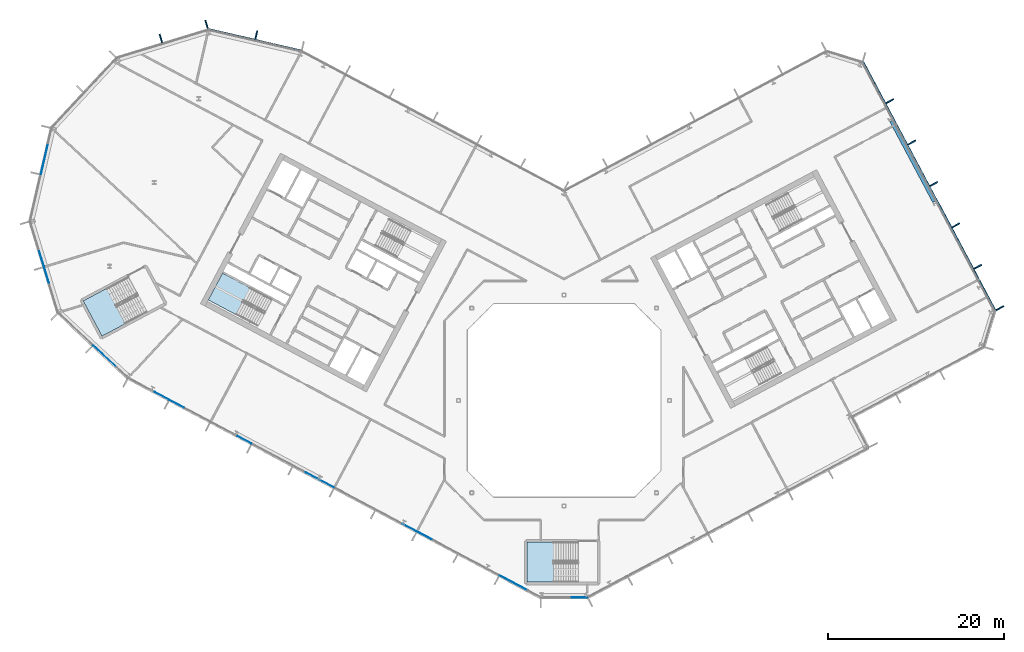
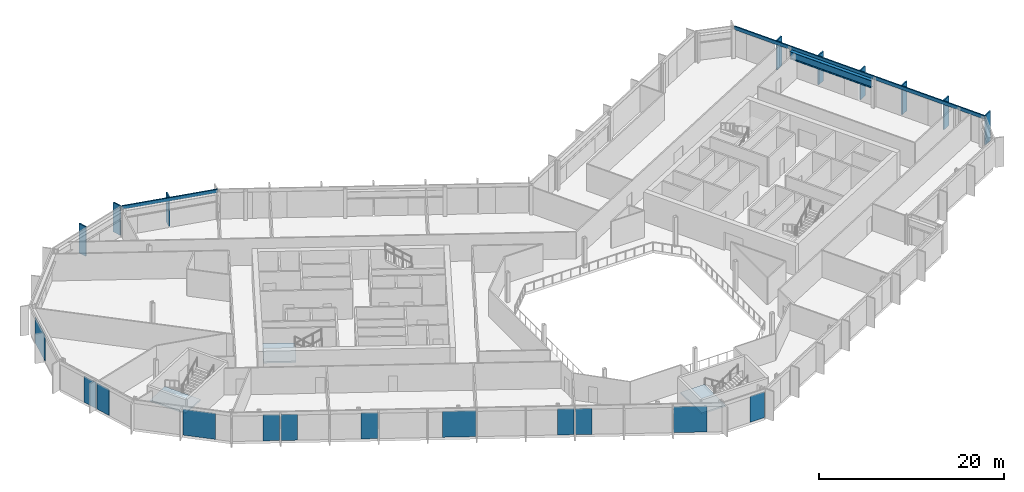
# One storey, part 10 of 27: 12 plates, 11 members, 3 slabs, 1 beam, 11 elements without a shape of their own.
"""IFC4 building model written with IfcOpenShell, lengths in metres."""

from ifc_helpers import new_model, si_unit, direction, frame, origin, origin_2d, place, context, subcontext, project, spatial, polyline, rectangle, i_section, outline, extrude, material, layer, layer_set, material_profile, profile_set, type_object, element, aggregate, save


model = new_model("IFC4")

# Units and contexts
model_context = context("Model", 3, precision=1e-05, world=origin(), true_north=direction((0.0, 1.0)))
body_context = subcontext(model_context, "Body", "Model", "MODEL_VIEW")
ifc_project = project(units=[si_unit("LENGTHUNIT", "METRE"), si_unit("AREAUNIT", "SQUARE_METRE"), si_unit("VOLUMEUNIT", "CUBIC_METRE"), si_unit("PLANEANGLEUNIT", "RADIAN"), si_unit("MASSUNIT", "GRAM", prefix="KILO")], contexts=[model_context])

# Site, building, storey
site_placement = place(None, origin())
site = spatial("IfcSite", under=ifc_project, at=site_placement, CompositionType="ELEMENT")
building_placement = place(site_placement, origin())
building = spatial("IfcBuilding", under=site, at=building_placement, Name="Cormorant Relay Tower", CompositionType="ELEMENT")
storey_placement = place(building_placement, frame((0.0, 0.0, 224.699951171875)))
storey = spatial("IfcBuildingStorey", under=building, at=storey_placement, Name="L49", CompositionType="ELEMENT", Elevation=224.699951171875)

# Curtain wall, members
ifc_material_1 = material(Name="Aluminium 6063-T6 anodised bronze", Category="aluminium")
ifc_layer_1 = layer(ifc_material_1, 0.199951171875)
ifc_layer_set_1 = layer_set([ifc_layer_1], Name="CW1 unitised bronze curtain wall with vertical fins")
curtain_wall_type = type_object("IfcCurtainWallType", Name="CW1 unitised bronze curtain wall with vertical fins", PredefinedType="NOTDEFINED", material=ifc_layer_set_1)
curtain_wall_1_placement = place(storey_placement, origin())
curtain_wall_1 = element("IfcCurtainWall", 1, at=curtain_wall_1_placement, inside=storey, type_object=curtain_wall_type, Name="CW1 curtain wall 6", PredefinedType="NOTDEFINED")
ifc_material_2 = material(Name="Aluminium 6063-T6 anodised bronze", Category="aluminium")
ifc_material_profile_1 = material_profile(ifc_material_2, rectangle(XDim=0.14990234375, YDim=1.0, at=origin_2d()), Name="AL 150x1000")
ifc_profile_set_1 = profile_set([ifc_material_profile_1], Name="Aluminium 6063-T6 anodised bronze")
member_type_1 = type_object("IfcMemberType", Name="CW1 bronze fin mullion 150 x 1000", PredefinedType="MULLION", material=ifc_profile_set_1)
member_1_placement = place(storey_placement, frame((49.572021484375, 10.501953125, 0.0), z_axis=(0.0, 0.0, 1.0), x_axis=(-0.469471562786, 0.882947592859, 0.0)))
member_1 = element("IfcMember", 2, at=member_1_placement, type_object=member_type_1, Name="CW1 fin 6.1", PredefinedType="MULLION", context=body_context, shape_type="SweptSolid", body=[
    extrude(rectangle(XDim=0.14990234375, YDim=1.0, at=origin_2d()), origin(), (0.0, 0.0, 1.0), 3.900146484375),
])
member_2_placement = place(storey_placement, frame((47.068359375, 15.211181640625, 0.0), z_axis=(0.0, 0.0, 1.0), x_axis=(-0.469471562786, 0.882947592859, 0.0)))
member_2 = element("IfcMember", 3, at=member_2_placement, type_object=member_type_1, Name="CW1 fin 6.2", PredefinedType="MULLION", context=body_context, shape_type="SweptSolid", body=[
    extrude(rectangle(XDim=0.14990234375, YDim=1.0, at=origin_2d()), origin(), (0.0, 0.0, 1.0), 3.900146484375),
])
member_3_placement = place(storey_placement, frame((44.564453125, 19.920166015625, 0.0), z_axis=(0.0, 0.0, 1.0), x_axis=(-0.469471562786, 0.882947592859, 0.0)))
member_3 = element("IfcMember", 4, at=member_3_placement, type_object=member_type_1, Name="CW1 fin 6.3", PredefinedType="MULLION", context=body_context, shape_type="SweptSolid", body=[
    extrude(rectangle(XDim=0.14990234375, YDim=1.0, at=origin_2d()), origin(), (0.0, 0.0, 1.0), 3.900146484375),
])
member_4_placement = place(storey_placement, frame((42.060546875, 24.629150390625, 0.0), z_axis=(0.0, 0.0, 1.0), x_axis=(-0.469471562786, 0.882947592859, 0.0)))
member_4 = element("IfcMember", 5, at=member_4_placement, type_object=member_type_1, Name="CW1 fin 6.4", PredefinedType="MULLION", context=body_context, shape_type="SweptSolid", body=[
    extrude(rectangle(XDim=0.14990234375, YDim=1.0, at=origin_2d()), origin(), (0.0, 0.0, 1.0), 3.900146484375),
])
member_5_placement = place(storey_placement, frame((39.556884765625, 29.338134765625, 0.0), z_axis=(0.0, 0.0, 1.0), x_axis=(-0.469471562786, 0.882947592859, 0.0)))
member_5 = element("IfcMember", 6, at=member_5_placement, type_object=member_type_1, Name="CW1 fin 6.5", PredefinedType="MULLION", context=body_context, shape_type="SweptSolid", body=[
    extrude(rectangle(XDim=0.14990234375, YDim=1.0, at=origin_2d()), origin(), (0.0, 0.0, 1.0), 3.900146484375),
])
member_6_placement = place(storey_placement, frame((37.052978515625, 34.04736328125, 0.0), z_axis=(0.0, 0.0, 1.0), x_axis=(-0.469471562786, 0.882947592859, 0.0)))
member_6 = element("IfcMember", 7, at=member_6_placement, type_object=member_type_1, Name="CW1 fin 6.6", PredefinedType="MULLION", context=body_context, shape_type="SweptSolid", body=[
    extrude(rectangle(XDim=0.14990234375, YDim=1.0, at=origin_2d()), origin(), (0.0, 0.0, 1.0), 3.900146484375),
])

# Curtain wall, member
curtain_wall_2_placement = place(storey_placement, origin())
curtain_wall_2 = element("IfcCurtainWall", 8, at=curtain_wall_2_placement, inside=storey, type_object=curtain_wall_type, Name="CW1 curtain wall 10", PredefinedType="NOTDEFINED")
member_7_placement = place(storey_placement, frame((-35.01220703125, 41.57275390625, 0.0), z_axis=(0.0, 0.0, 1.0), x_axis=(-0.974370064785, 0.224951054344, 0.0)))
member_7 = element("IfcMember", 9, at=member_7_placement, type_object=member_type_1, Name="CW1 fin 10.2", PredefinedType="MULLION", context=body_context, shape_type="SweptSolid", body=[
    extrude(rectangle(XDim=0.14990234375, YDim=1.0, at=origin_2d()), origin(), (0.0, 0.0, 1.0), 3.900146484375),
])

# Curtain wall, members
curtain_wall_3_placement = place(storey_placement, origin())
curtain_wall_3 = element("IfcCurtainWall", 10, at=curtain_wall_3_placement, inside=storey, type_object=curtain_wall_type, Name="CW1 curtain wall 11", PredefinedType="NOTDEFINED")
member_8_placement = place(storey_placement, frame((-40.670166015625, 42.78271484375, 0.0), z_axis=(0.0, 0.0, 1.0), x_axis=(-0.956304755963, -0.292371704723, 0.0)))
member_8 = element("IfcMember", 11, at=member_8_placement, type_object=member_type_1, Name="CW1 fin 11.1", PredefinedType="MULLION", context=body_context, shape_type="SweptSolid", body=[
    extrude(rectangle(XDim=0.14990234375, YDim=1.0, at=origin_2d()), origin(), (0.0, 0.0, 1.0), 3.900146484375),
])
member_9_placement = place(storey_placement, frame((-45.867919921875, 41.193603515625, 0.0), z_axis=(0.0, 0.0, 1.0), x_axis=(-0.956304755963, -0.292371704723, 0.0)))
member_9 = element("IfcMember", 12, at=member_9_placement, type_object=member_type_1, Name="CW1 fin 11.2", PredefinedType="MULLION", context=body_context, shape_type="SweptSolid", body=[
    extrude(rectangle(XDim=0.14990234375, YDim=1.0, at=origin_2d()), origin(), (0.0, 0.0, 1.0), 3.900146484375),
])
aggregate(curtain_wall_3, [member_8, member_9])

# Member
ifc_material_3 = material(Name="Aluminium 6063-T6 anodised bronze", Category="aluminium")
ifc_material_profile_2 = material_profile(ifc_material_3, rectangle(XDim=0.159912109375, YDim=0.449951171875, at=origin_2d()), Name="AL 160x450")
ifc_profile_set_2 = profile_set([ifc_material_profile_2], Name="Aluminium 6063-T6 anodised bronze")
member_type_2 = type_object("IfcMemberType", Name="CW1 bronze transom 160 x 450", PredefinedType="USERDEFINED", material=ifc_profile_set_2)
member_10_placement = place(storey_placement, frame((49.06005859375, 10.229736328125, 3.675048828125), z_axis=(-0.46947036835, 0.882948227951, 0.0), x_axis=(-0.882948227951, -0.46947036835, 0.0)))
member_10 = element("IfcMember", 13, at=member_10_placement, type_object=member_type_2, Name="CW1 transom 6", ObjectType="TRANSOM", PredefinedType="USERDEFINED", context=body_context, shape_type="SweptSolid", body=[
    extrude(rectangle(XDim=0.159912109375, YDim=0.449951171875, at=origin_2d()), origin(), (0.0, 0.0, 1.0), 31.999755859375),
])

aggregate(curtain_wall_1, [member_1, member_2, member_3, member_4, member_5, member_6, member_10])

member_11_placement = place(storey_placement, frame((-29.8466796875, 39.784912109375, 3.675048828125), z_axis=(-0.974365070969, 0.224972683844, 0.0), x_axis=(-0.224972683844, -0.974365070969, 0.0)))
member_11 = element("IfcMember", 14, at=member_11_placement, type_object=member_type_2, Name="CW1 transom 10", ObjectType="TRANSOM", PredefinedType="USERDEFINED", context=body_context, shape_type="SweptSolid", body=[
    extrude(rectangle(XDim=0.159912109375, YDim=0.449951171875, at=origin_2d()), origin(), (0.0, 0.0, 1.0), 10.870361328125),
])

aggregate(curtain_wall_2, [member_7, member_11])

# Beam
ifc_material_4 = material(Name="Steel ASTM A992 (Fy 345 MPa)", Category="steel")
ifc_material_profile_3 = material_profile(ifc_material_4, i_section(OverallWidth=0.4013671875, OverallDepth=0.990478515625, WebThickness=0.0166015625, FlangeThickness=0.031005859375, FilletRadius=0.030029296875, at=origin_2d()), Name="W1000x320")
ifc_profile_set_3 = profile_set([ifc_material_profile_3], Name="Steel ASTM A992 (Fy 345 MPa)")
beam_type = type_object("IfcBeamType", Name="Spandrel W1000x320", PredefinedType="SPANDREL", material=ifc_profile_set_3)
beam_placement = place(storey_placement, frame((42.109619140625, 22.61865234375, 3.044677734375), z_axis=(-0.469476269233, 0.882945090381, 0.0), x_axis=(-0.882945090381, -0.469476269233, 0.0)))
element("IfcBeam", 15, at=beam_placement, inside=storey, type_object=beam_type, Name="Spandrel beam L49-006", PredefinedType="SPANDREL", context=body_context, shape_type="SweptSolid", body=[
    extrude(i_section(OverallWidth=0.4013671875, OverallDepth=0.990478515625, WebThickness=0.0166015625, FlangeThickness=0.031005859375, FilletRadius=0.030029296875, at=origin_2d()), origin(), (0.0, 0.0, 1.0), 10.396484375),
])

# Curtain wall, plate
curtain_wall_4_placement = place(storey_placement, origin())
curtain_wall_4 = element("IfcCurtainWall", 16, at=curtain_wall_4_placement, inside=storey, type_object=curtain_wall_type, Name="CW1 curtain wall 1", PredefinedType="NOTDEFINED")
ifc_material_5 = material(Name="Tinted laminated glass", Category="glass")
ifc_layer_2 = layer(ifc_material_5, 0.0400390625)
ifc_layer_set_2 = layer_set([ifc_layer_2], Name="CW1 tinted vision panel 1800 module")
plate_type_1 = type_object("IfcPlateType", Name="CW1 tinted vision panel 1800 module", PredefinedType="CURTAIN_PANEL", material=ifc_layer_set_2)
plate_1_placement = place(storey_placement, frame((1.748779296875, -22.3955078125, 0.0), z_axis=(0.0, 0.0, 1.0), x_axis=(1.0, 0.0, 0.0)))
plate_1 = element("IfcPlate", 17, at=plate_1_placement, type_object=plate_type_1, Name="CW1 panel V01", PredefinedType="CURTAIN_PANEL", context=body_context, shape_type="SweptSolid", body=[
    extrude(rectangle(XDim=1.800048828125, YDim=0.0400390625, at=origin_2d()), origin(), (0.0, 0.0, 1.0), 3.449951171875),
])
aggregate(curtain_wall_4, [plate_1])

# Curtain wall, plates
curtain_wall_5_placement = place(storey_placement, origin())
curtain_wall_5 = element("IfcCurtainWall", 18, at=curtain_wall_5_placement, inside=storey, type_object=curtain_wall_type, Name="CW1 curtain wall 14", PredefinedType="NOTDEFINED")
plate_2_placement = place(storey_placement, frame((-59.434814453125, 16.122314453125, 0.0), z_axis=(0.0, 0.0, 1.0), x_axis=(0.292371704723, -0.956304755963, 0.0)))
plate_2 = element("IfcPlate", 19, at=plate_2_placement, type_object=plate_type_1, Name="CW1 panel V01", PredefinedType="CURTAIN_PANEL", context=body_context, shape_type="SweptSolid", body=[
    extrude(rectangle(XDim=1.800048828125, YDim=0.0400390625, at=origin_2d()), origin(), (0.0, 0.0, 1.0), 3.449951171875),
])
plate_3_placement = place(storey_placement, frame((-58.86474609375, 14.25732421875, 0.0), z_axis=(0.0, 0.0, 1.0), x_axis=(0.292371704723, -0.956304755963, 0.0)))
plate_3 = element("IfcPlate", 20, at=plate_3_placement, type_object=plate_type_1, Name="CW1 panel V02", PredefinedType="CURTAIN_PANEL", context=body_context, shape_type="SweptSolid", body=[
    extrude(rectangle(XDim=1.800048828125, YDim=0.0400390625, at=origin_2d()), origin(), (0.0, 0.0, 1.0), 3.449951171875),
])
aggregate(curtain_wall_5, [plate_2, plate_3])

curtain_wall_6_placement = place(storey_placement, origin())
curtain_wall_6 = element("IfcCurtainWall", 21, at=curtain_wall_6_placement, inside=storey, type_object=curtain_wall_type, Name="CW1 curtain wall 16", PredefinedType="NOTDEFINED")
plate_4_placement = place(storey_placement, frame((-45.767578125, 0.5283203125, 0.0), z_axis=(0.0, 0.0, 1.0), x_axis=(0.882947592859, -0.469471562786, 0.0)))
plate_4 = element("IfcPlate", 22, at=plate_4_placement, type_object=plate_type_1, Name="CW1 panel V01", PredefinedType="CURTAIN_PANEL", context=body_context, shape_type="SweptSolid", body=[
    extrude(rectangle(XDim=1.800048828125, YDim=0.0400390625, at=origin_2d()), origin(), (0.0, 0.0, 1.0), 3.449951171875),
])
plate_5_placement = place(storey_placement, frame((-44.0458984375, -0.38720703125, 0.0), z_axis=(0.0, 0.0, 1.0), x_axis=(0.882947592859, -0.469471562786, 0.0)))
plate_5 = element("IfcPlate", 23, at=plate_5_placement, type_object=plate_type_1, Name="CW1 panel V02", PredefinedType="CURTAIN_PANEL", context=body_context, shape_type="SweptSolid", body=[
    extrude(rectangle(XDim=1.800048828125, YDim=0.0400390625, at=origin_2d()), origin(), (0.0, 0.0, 1.0), 3.449951171875),
])
plate_6_placement = place(storey_placement, frame((-36.37890625, -4.463623046875, 0.0), z_axis=(0.0, 0.0, 1.0), x_axis=(0.882947592859, -0.469471562786, 0.0)))
plate_6 = element("IfcPlate", 24, at=plate_6_placement, type_object=plate_type_1, Name="CW1 panel V04", PredefinedType="CURTAIN_PANEL", context=body_context, shape_type="SweptSolid", body=[
    extrude(rectangle(XDim=1.800048828125, YDim=0.0400390625, at=origin_2d()), origin(), (0.0, 0.0, 1.0), 3.449951171875),
])
plate_7_placement = place(storey_placement, frame((-17.601806640625, -14.447509765625, 0.0), z_axis=(0.0, 0.0, 1.0), x_axis=(0.882947592859, -0.469471562786, 0.0)))
plate_7 = element("IfcPlate", 25, at=plate_7_placement, type_object=plate_type_1, Name="CW1 panel V08", PredefinedType="CURTAIN_PANEL", context=body_context, shape_type="SweptSolid", body=[
    extrude(rectangle(XDim=1.800048828125, YDim=0.0400390625, at=origin_2d()), origin(), (0.0, 0.0, 1.0), 3.449951171875),
])
plate_8_placement = place(storey_placement, frame((-15.880126953125, -15.363037109375, 0.0), z_axis=(0.0, 0.0, 1.0), x_axis=(0.882947592859, -0.469471562786, 0.0)))
plate_8 = element("IfcPlate", 26, at=plate_8_placement, type_object=plate_type_1, Name="CW1 panel V09", PredefinedType="CURTAIN_PANEL", context=body_context, shape_type="SweptSolid", body=[
    extrude(rectangle(XDim=1.800048828125, YDim=0.0400390625, at=origin_2d()), origin(), (0.0, 0.0, 1.0), 3.449951171875),
])

# Curtain wall, plate
curtain_wall_7_placement = place(storey_placement, origin())
curtain_wall_7 = element("IfcCurtainWall", 27, at=curtain_wall_7_placement, inside=storey, type_object=curtain_wall_type, Name="CW1 curtain wall 13", PredefinedType="NOTDEFINED")
ifc_material_6 = material(Name="Tinted laminated glass", Category="glass")
ifc_layer_3 = layer(ifc_material_6, 0.0400390625)
ifc_layer_set_3 = layer_set([ifc_layer_3], Name="CW1 tinted vision panel 3600 module")
plate_type_2 = type_object("IfcPlateType", Name="CW1 tinted vision panel 3600 module", PredefinedType="CURTAIN_PANEL", material=ifc_layer_set_3)
plate_9_placement = place(storey_placement, frame((-59.094970703125, 27.520751953125, 0.0), z_axis=(0.0, 0.0, 1.0), x_axis=(-0.224951054344, -0.974370064785, 0.0)))
plate_9 = element("IfcPlate", 28, at=plate_9_placement, type_object=plate_type_2, Name="CW1 panel V01", PredefinedType="CURTAIN_PANEL", context=body_context, shape_type="SweptSolid", body=[
    extrude(rectangle(XDim=3.60009765625, YDim=0.0400390625, at=origin_2d()), origin(), (0.0, 0.0, 1.0), 3.449951171875),
])
aggregate(curtain_wall_7, [plate_9])

curtain_wall_8_placement = place(storey_placement, origin())
curtain_wall_8 = element("IfcCurtainWall", 29, at=curtain_wall_8_placement, inside=storey, type_object=curtain_wall_type, Name="CW1 curtain wall 15", PredefinedType="NOTDEFINED")
plate_10_placement = place(storey_placement, frame((-52.208984375, 4.997802734375, 0.0), z_axis=(0.0, 0.0, 1.0), x_axis=(0.731353701619, -0.681998360062, 0.0)))
plate_10 = element("IfcPlate", 30, at=plate_10_placement, type_object=plate_type_2, Name="CW1 panel V01", PredefinedType="CURTAIN_PANEL", context=body_context, shape_type="SweptSolid", body=[
    extrude(rectangle(XDim=3.60009765625, YDim=0.0400390625, at=origin_2d()), origin(), (0.0, 0.0, 1.0), 3.449951171875),
])
aggregate(curtain_wall_8, [plate_10])

# Plate
plate_11_placement = place(storey_placement, frame((-27.78515625, -9.032958984375, 0.0), z_axis=(0.0, 0.0, 1.0), x_axis=(0.882947592859, -0.469471562786, 0.0)))
plate_11 = element("IfcPlate", 31, at=plate_11_placement, type_object=plate_type_2, Name="CW1 panel V06", PredefinedType="CURTAIN_PANEL", context=body_context, shape_type="SweptSolid", body=[
    extrude(rectangle(XDim=3.60009765625, YDim=0.0400390625, at=origin_2d()), origin(), (0.0, 0.0, 1.0), 3.449951171875),
])

plate_12_placement = place(storey_placement, frame((-5.697021484375, -20.777587890625, 0.0), z_axis=(0.0, 0.0, 1.0), x_axis=(0.882947592859, -0.469471562786, 0.0)))
plate_12 = element("IfcPlate", 32, at=plate_12_placement, type_object=plate_type_2, Name="CW1 panel V11", PredefinedType="CURTAIN_PANEL", context=body_context, shape_type="SweptSolid", body=[
    extrude(rectangle(XDim=3.60009765625, YDim=0.0400390625, at=origin_2d()), origin(), (0.0, 0.0, 1.0), 3.449951171875),
])

aggregate(curtain_wall_6, [plate_4, plate_5, plate_6, plate_11, plate_7, plate_8, plate_12])

# Stair, slab
ifc_material_7 = material(Name="Concrete 40 MPa", Category="concrete")
stair_type_1 = type_object("IfcStairType", Name="Exit stair 1500", PredefinedType="HALF_TURN_STAIR", material=ifc_material_7)
stair_1_placement = place(storey_placement, origin())
stair_1 = element("IfcStair", 33, at=stair_1_placement, inside=storey, type_object=stair_type_1, Name="L49 Stair", PredefinedType="HALF_TURN_STAIR")
ifc_material_8 = material(Name="Concrete 40 MPa", Category="concrete")
ifc_layer_4 = layer(ifc_material_8, 0.199951171875)
ifc_layer_set_4 = layer_set([ifc_layer_4], Name="Exit stair landing 200")
slab_type = type_object("IfcSlabType", Name="Exit stair landing 200", PredefinedType="LANDING", material=ifc_layer_set_4)
slab_1_placement = place(storey_placement, frame((0.0, 0.0, 1.75)))
slab_1 = element("IfcSlab", 34, at=slab_1_placement, type_object=slab_type, Name="A2 landing 1", PredefinedType="LANDING", context=body_context, shape_type="SweptSolid", body=[
    extrude(outline(polyline([(-35.71337890625, 12.816650390625), (-38.84765625, 14.483154296875), (-40.467529296875, 11.43701171875), (-37.3330078125, 9.7705078125), (-35.71337890625, 12.816650390625)])), origin(), (0.0, 0.0, 1.0), 0.199951171875),
])
aggregate(stair_1, [slab_1])

ifc_material_9 = material(Name="Concrete 40 MPa", Category="concrete")
stair_type_2 = type_object("IfcStairType", Name="Remote exit stair 2200", PredefinedType="HALF_TURN_STAIR", material=ifc_material_9)
stair_2_placement = place(storey_placement, origin())
stair_2 = element("IfcStair", 35, at=stair_2_placement, inside=storey, type_object=stair_type_2, Name="L49 Stair", PredefinedType="HALF_TURN_STAIR")
slab_2_placement = place(storey_placement, frame((0.0, 0.0, 1.75)))
slab_2 = element("IfcSlab", 36, at=slab_2_placement, type_object=slab_type, Name="RK1 landing 1", PredefinedType="LANDING", context=body_context, shape_type="SweptSolid", body=[
    extrude(outline(polyline([(-1.199951171875, -16.125), (-4.199951171875, -16.125), (-4.199951171875, -20.675048828125), (-1.199951171875, -20.675048828125), (-1.199951171875, -16.125)])), origin(), (0.0, 0.0, 1.0), 0.199951171875),
])
aggregate(stair_2, [slab_2])

stair_3_placement = place(storey_placement, origin())
stair_3 = element("IfcStair", 37, at=stair_3_placement, inside=storey, type_object=stair_type_2, Name="L49 Stair", PredefinedType="HALF_TURN_STAIR")
slab_3_placement = place(storey_placement, frame((0.0, 0.0, 1.75)))
slab_3 = element("IfcSlab", 38, at=slab_3_placement, type_object=slab_type, Name="RP1 landing 1", PredefinedType="LANDING", context=body_context, shape_type="SweptSolid", body=[
    extrude(outline(polyline([(-52.051025390625, 12.7392578125), (-54.699951171875, 11.330810546875), (-52.563720703125, 7.3134765625), (-49.914794921875, 8.721923828125), (-52.051025390625, 12.7392578125)])), origin(), (0.0, 0.0, 1.0), 0.199951171875),
])
aggregate(stair_3, [slab_3])

save(model, "model.ifc")
